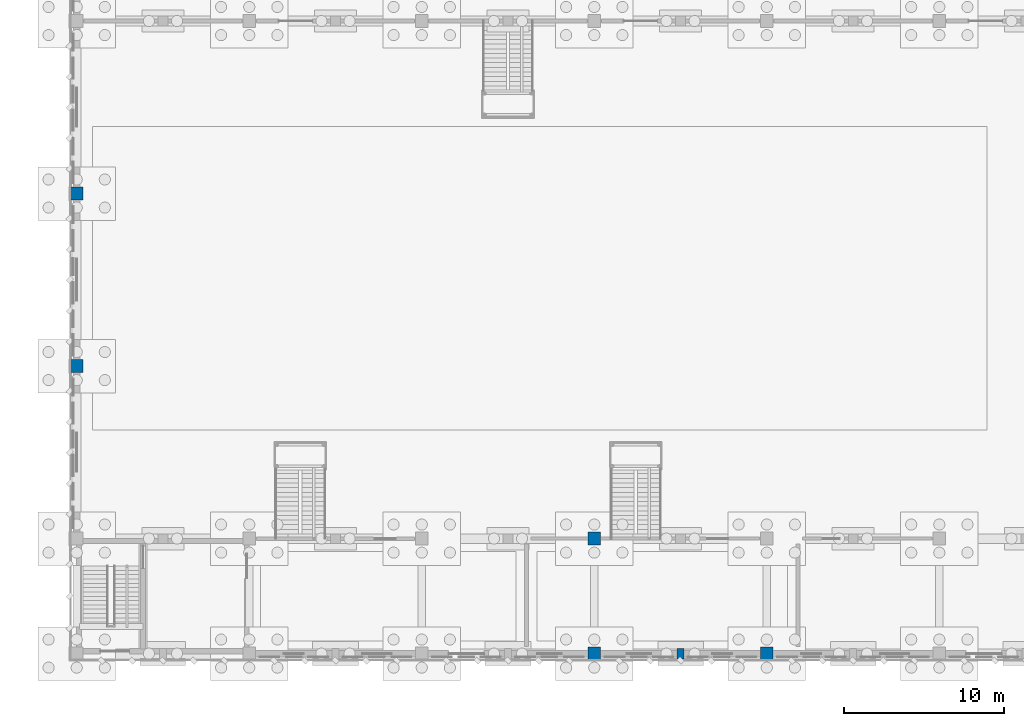
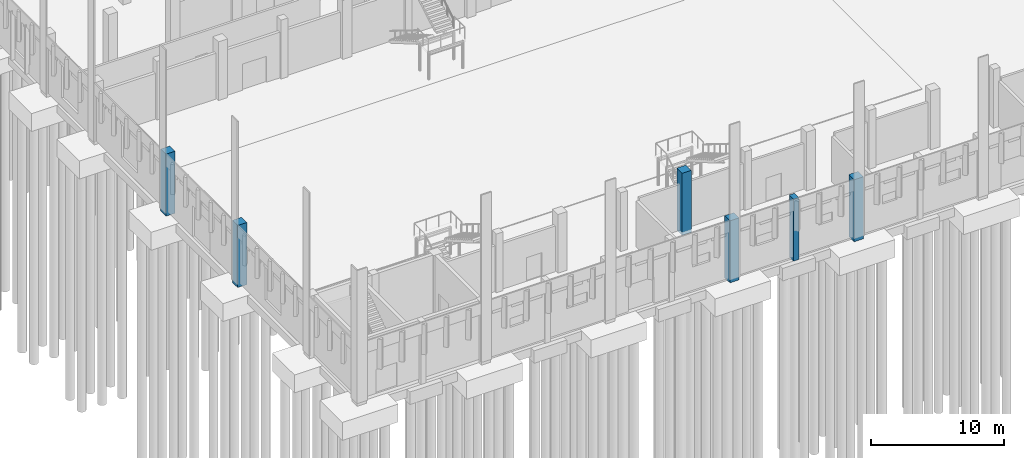
# One storey, part 13 of 109: 6 columns.
"""IFC4 building model written with IfcOpenShell, lengths in metres."""

from ifc_helpers import new_model, si_unit, direction, frame, origin, origin_2d, place, context, subcontext, project, spatial, rectangle, extrude, material, material_profile, profile_set, type_object, element, save


model = new_model("IFC4")

# Units and contexts
model_context = context("Model", 3, precision=1e-05, world=origin(), true_north=direction((0.0, 1.0)))
body_context = subcontext(model_context, "Body", "Model", "MODEL_VIEW")
ifc_project = project(units=[si_unit("LENGTHUNIT", "METRE"), si_unit("AREAUNIT", "SQUARE_METRE"), si_unit("VOLUMEUNIT", "CUBIC_METRE"), si_unit("PLANEANGLEUNIT", "RADIAN"), si_unit("MASSUNIT", "GRAM", prefix="KILO")], contexts=[model_context])

# Site, building, storey
site_placement = place(None, origin())
site = spatial("IfcSite", under=ifc_project, at=site_placement, CompositionType="ELEMENT")
building_placement = place(site_placement, origin())
building = spatial("IfcBuilding", under=site, at=building_placement, Name="Lusvemor Sports Hall", CompositionType="ELEMENT")
storey_placement = place(building_placement, origin())
storey = spatial("IfcBuildingStorey", under=building, at=storey_placement, Name="L00", CompositionType="ELEMENT", Elevation=0.0)

# Columns
ifc_material_1 = material(Name="Concrete C40/50", Category="concrete")
ifc_material_profile_1 = material_profile(ifc_material_1, rectangle(XDim=0.800048828125, YDim=0.800048828125, at=origin_2d()), Name="RC800x800")
ifc_profile_set_1 = profile_set([ifc_material_profile_1], Name="Concrete C40/50")
column_type_1 = type_object("IfcColumnType", Name="COL_HALL_W", PredefinedType="COLUMN", material=ifc_profile_set_1)
for number, where, z_axis, x_axis, name in (
    (1, (0.0, 18.0, -0.300048828125), (0.0, 0.0, 1.0), (1.0, 0.0, 0.0), "Column 1/C (L00)"),
    (2, (0.0, 28.800048828125, -0.300048828125), (0.0, 0.0, 1.0), (1.0, 0.0, 0.0), "Column 1/D (L00)"),
    (3, (32.39990234375, 0.0, -0.300048828125), (0.0, 0.0, 1.0), (1.0, 0.0, 0.0), "Column 4/A (L00)"),
    (4, (32.39990234375, 7.199951171875, -0.300048828125), (0.0, 0.0, 1.0), (1.0, 0.0, 0.0), "Column 4/B (L00)"),
    (5, (43.199951171875, 0.0, -0.300048828125), (0.0, 0.0, 1.0), (1.0, 0.0, 0.0), "Column 5/A (L00)"),
):
    element("IfcColumn", number, at=place(storey_placement, frame(where, z_axis=z_axis, x_axis=x_axis)), inside=storey, type_object=column_type_1, Name=name, PredefinedType="COLUMN", context=body_context, shape_type="SweptSolid", body=[
        extrude(rectangle(XDim=0.800048828125, YDim=0.800048828125, at=origin_2d()), origin(), (0.0, 0.0, 1.0), 5.699951171875),
    ])
ifc_material_2 = material(Name="Concrete C40/50", Category="concrete")
ifc_material_profile_2 = material_profile(ifc_material_2, rectangle(XDim=0.449951171875, YDim=0.64990234375, at=origin_2d()), Name="RC450x650")
ifc_profile_set_2 = profile_set([ifc_material_profile_2], Name="Concrete C40/50")
column_type_2 = type_object("IfcColumnType", Name="PIL_BOUL_E", PredefinedType="PILASTER", material=ifc_profile_set_2)
column_placement = place(storey_placement, frame((37.800048828125, 0.0, -0.300048828125), z_axis=(0.0, 0.0, 1.0), x_axis=(1.0, 0.0, 0.0)))
element("IfcColumn", 6, at=column_placement, inside=storey, type_object=column_type_2, Name="Boulevard Pilaster S3 (L00)", PredefinedType="PILASTER", context=body_context, shape_type="SweptSolid", body=[
    extrude(rectangle(XDim=0.449951171875, YDim=0.64990234375, at=origin_2d()), origin(), (0.0, 0.0, 1.0), 5.699951171875),
])

save(model, "model.ifc")
